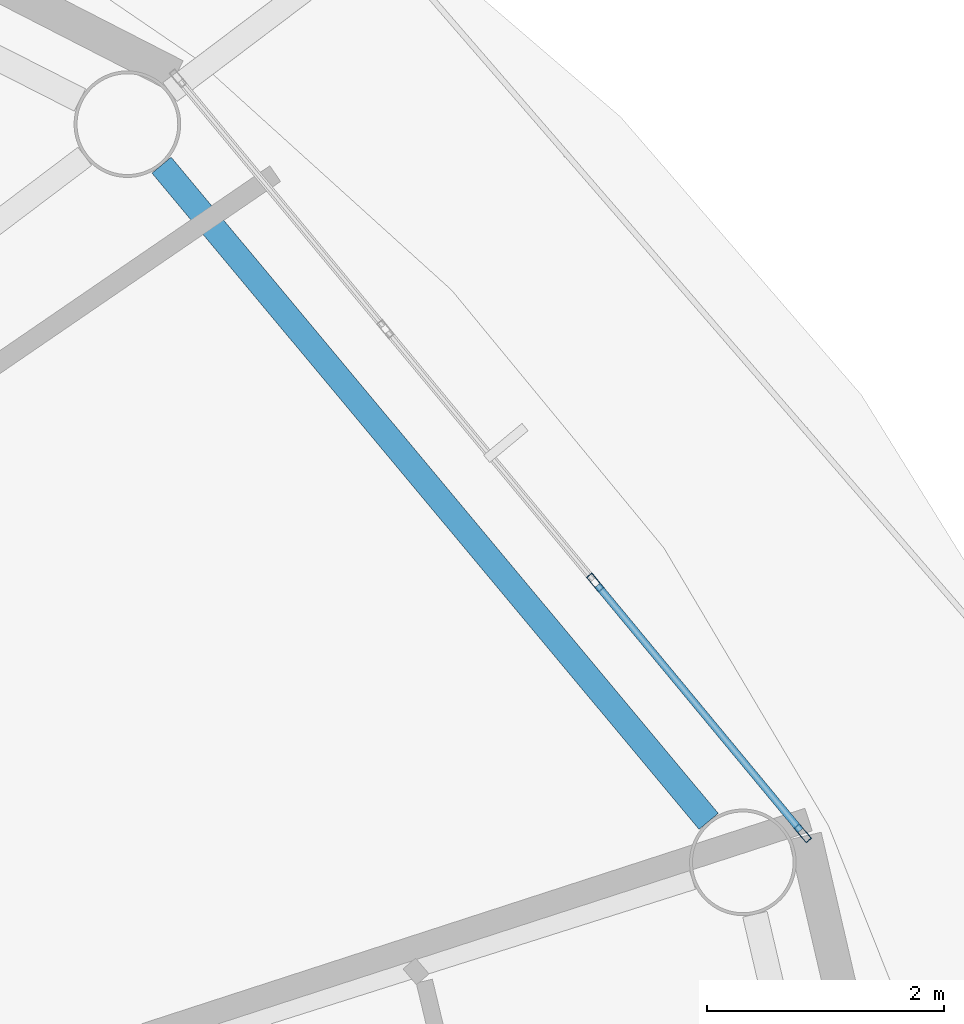
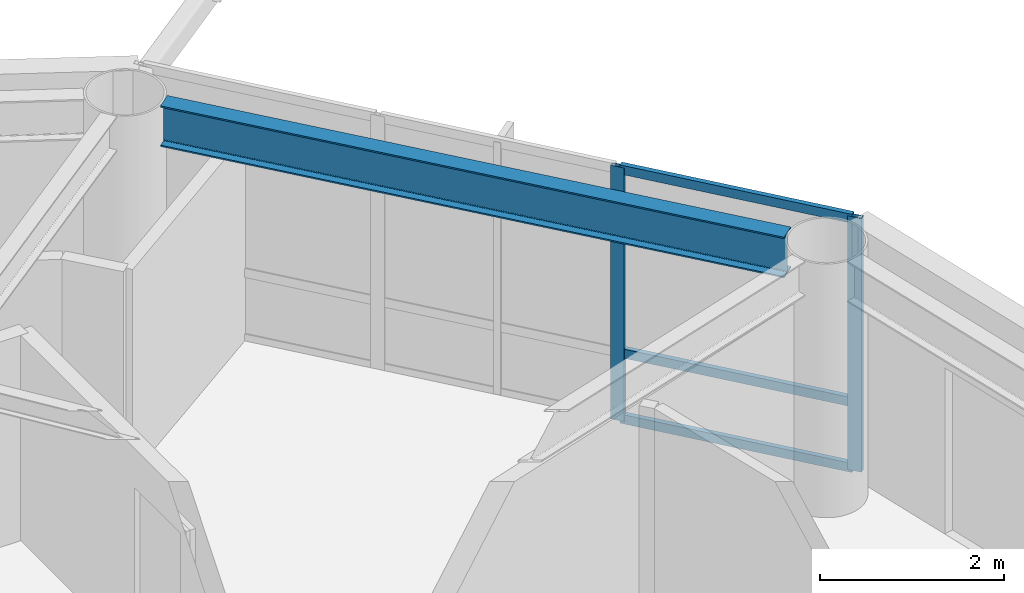
# One storey, part 7 of 23: 5 members, 1 beam, 1 element without a shape of its own.
"""IFC4 building model written with IfcOpenShell, lengths in metres."""

from ifc_helpers import new_model, si_unit, direction, frame, origin, origin_2d, place, context, subcontext, project, spatial, hollow_rectangle, i_section, extrude, material, layer, layer_set, material_profile, profile_set, type_object, element, aggregate, save


model = new_model("IFC4")

# Units and contexts
model_context = context("Model", 3, precision=1e-05, world=origin(), true_north=direction((0.0, 1.0)))
body_context = subcontext(model_context, "Body", "Model", "MODEL_VIEW")
ifc_project = project(units=[si_unit("LENGTHUNIT", "METRE"), si_unit("AREAUNIT", "SQUARE_METRE"), si_unit("VOLUMEUNIT", "CUBIC_METRE"), si_unit("PLANEANGLEUNIT", "RADIAN"), si_unit("MASSUNIT", "GRAM", prefix="KILO")], contexts=[model_context])

# Site, building, storey
site_placement = place(None, origin())
site = spatial("IfcSite", under=ifc_project, at=site_placement, CompositionType="ELEMENT")
building_placement = place(site_placement, origin())
building = spatial("IfcBuilding", under=site, at=building_placement, Name="Sarneth Arch Tower", CompositionType="ELEMENT")
storey_placement = place(building_placement, frame((0.0, 0.0, 224.39990234375)))
storey = spatial("IfcBuildingStorey", under=building, at=storey_placement, Name="L57", CompositionType="ELEMENT", Elevation=224.39990234375)

# Beam
ifc_material_1 = material(Name="Steel S355", Category="steel")
ifc_material_profile_1 = material_profile(ifc_material_1, i_section(OverallWidth=0.2109375, OverallDepth=0.5390625, WebThickness=0.01171875, FlangeThickness=0.018798828125, FilletRadius=0.01806640625, at=origin_2d()), Name="W530x109")
ifc_profile_set_1 = profile_set([ifc_material_profile_1], Name="Steel S355")
beam_type = type_object("IfcBeamType", Name="BM-RAD-530B", PredefinedType="BEAM", material=ifc_profile_set_1)
beam_placement = place(storey_placement, frame((70.880615234375, 49.693115234375, 3.090576171875), z_axis=(-0.640390876881, 0.768049168222, 0.0), x_axis=(-0.768049168222, -0.640390876881, 0.0)))
element("IfcBeam", 1, at=beam_placement, inside=storey, type_object=beam_type, Name="L57 Perimeter spandrel beam 02", PredefinedType="BEAM", context=body_context, shape_type="SweptSolid", body=[
    extrude(i_section(OverallWidth=0.2109375, OverallDepth=0.5390625, WebThickness=0.01171875, FlangeThickness=0.018798828125, FilletRadius=0.01806640625, at=origin_2d()), origin(), (0.0, 0.0, 1.0), 7.2099609375),
])

# Curtain wall, members
ifc_material_2 = material(Name="Anodised aluminium Type AA25 and solar-control low-e laminated IGU", Category="aluminium")
ifc_layer = layer(ifc_material_2, 0.179931640625)
ifc_layer_set = layer_set([ifc_layer], Name="Anodised aluminium Type AA25 and solar-control low-e laminated IGU")
curtain_wall_type = type_object("IfcCurtainWallType", Name="CW-RES-HIGH", PredefinedType="NOTDEFINED", material=ifc_layer_set)
curtain_wall_placement = place(storey_placement, origin())
curtain_wall = element("IfcCurtainWall", 2, at=curtain_wall_placement, inside=storey, type_object=curtain_wall_type, Name="L57 Unitised curtain wall facet 02", PredefinedType="NOTDEFINED")
ifc_material_3 = material(Name="Anodised Aluminium 6063-T6", Category="aluminium")
ifc_material_profile_2 = material_profile(ifc_material_3, hollow_rectangle(XDim=0.06005859375, YDim=0.159912109375, WallThickness=0.00390625, at=origin_2d()), Name="AL-MULL-160x60x4")
ifc_profile_set_2 = profile_set([ifc_material_profile_2], Name="Anodised Aluminium 6063-T6")
member_type_1 = type_object("IfcMemberType", Name="CW-MULLION", PredefinedType="MULLION", material=ifc_profile_set_2)
member_1_placement = place(storey_placement, frame((71.674560546875, 49.592529296875, 0.0), z_axis=(0.0, 0.0, 1.0), x_axis=(-0.770359245933, -0.637610094184, 0.0)))
member_1 = element("IfcMember", 3, at=member_1_placement, type_object=member_type_1, Name="CW-SYS-6 mullion 1", PredefinedType="MULLION", context=body_context, shape_type="SweptSolid", body=[
    extrude(hollow_rectangle(XDim=0.06005859375, YDim=0.159912109375, WallThickness=0.00390625, at=origin_2d()), origin(), (0.0, 0.0, 1.0), 3.360107421875),
])
member_2_placement = place(storey_placement, frame((69.92333984375, 51.70849609375, 0.0), z_axis=(0.0, 0.0, 1.0), x_axis=(-0.770359245933, -0.637610094184, 0.0)))
member_2 = element("IfcMember", 4, at=member_2_placement, type_object=member_type_1, Name="CW-SYS-6 mullion 2", PredefinedType="MULLION", context=body_context, shape_type="SweptSolid", body=[
    extrude(hollow_rectangle(XDim=0.06005859375, YDim=0.159912109375, WallThickness=0.00390625, at=origin_2d()), origin(), (0.0, 0.0, 1.0), 3.360107421875),
])
ifc_material_4 = material(Name="Anodised Aluminium 6063-T6", Category="aluminium")
ifc_material_profile_3 = material_profile(ifc_material_4, hollow_rectangle(XDim=0.06005859375, YDim=0.1201171875, WallThickness=0.00390625, at=origin_2d()), Name="AL-TRAN-120x60x4")
ifc_profile_set_3 = profile_set([ifc_material_profile_3], Name="Anodised Aluminium 6063-T6")
member_type_2 = type_object("IfcMemberType", Name="CW-TRANSOM", PredefinedType="USERDEFINED", material=ifc_profile_set_3)
member_3_placement = place(storey_placement, frame((71.655517578125, 49.61572265625, 0.030029296875), z_axis=(-0.637651400067, 0.770325056059, 0.0), x_axis=(-0.770325056059, -0.637651400067, 0.0)))
member_3 = element("IfcMember", 5, at=member_3_placement, type_object=member_type_2, Name="CW-SYS-6 transom 1.1", ObjectType="TRANSOM", PredefinedType="USERDEFINED", context=body_context, shape_type="SweptSolid", body=[
    extrude(hollow_rectangle(XDim=0.06005859375, YDim=0.1201171875, WallThickness=0.00390625, at=origin_2d()), origin(), (0.0, 0.0, 1.0), 2.6865234375),
])
member_4_placement = place(storey_placement, frame((71.655517578125, 49.61572265625, 0.900146484375), z_axis=(-0.637651400067, 0.770325056059, 0.0), x_axis=(-0.770325056059, -0.637651400067, 0.0)))
member_4 = element("IfcMember", 6, at=member_4_placement, type_object=member_type_2, Name="CW-SYS-6 transom 1.2", ObjectType="TRANSOM", PredefinedType="USERDEFINED", context=body_context, shape_type="SweptSolid", body=[
    extrude(hollow_rectangle(XDim=0.06005859375, YDim=0.1201171875, WallThickness=0.00390625, at=origin_2d()), origin(), (0.0, 0.0, 1.0), 2.6865234375),
])
member_5_placement = place(storey_placement, frame((71.655517578125, 49.61572265625, 3.330078125), z_axis=(-0.637651400067, 0.770325056059, 0.0), x_axis=(-0.770325056059, -0.637651400067, 0.0)))
member_5 = element("IfcMember", 7, at=member_5_placement, type_object=member_type_2, Name="CW-SYS-6 transom 1.3", ObjectType="TRANSOM", PredefinedType="USERDEFINED", context=body_context, shape_type="SweptSolid", body=[
    extrude(hollow_rectangle(XDim=0.06005859375, YDim=0.1201171875, WallThickness=0.00390625, at=origin_2d()), origin(), (0.0, 0.0, 1.0), 2.6865234375),
])
aggregate(curtain_wall, [member_1, member_2, member_3, member_4, member_5])

save(model, "model.ifc")
